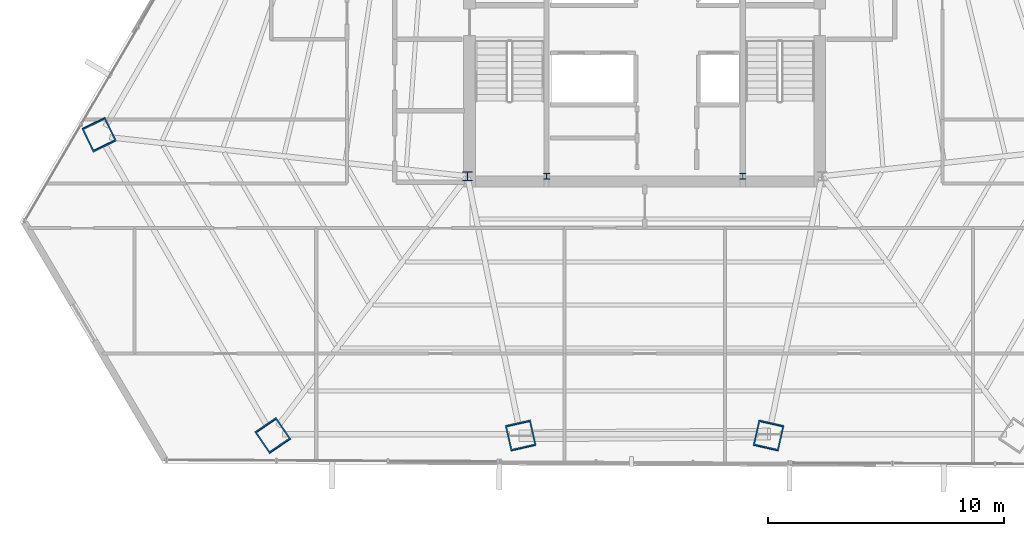
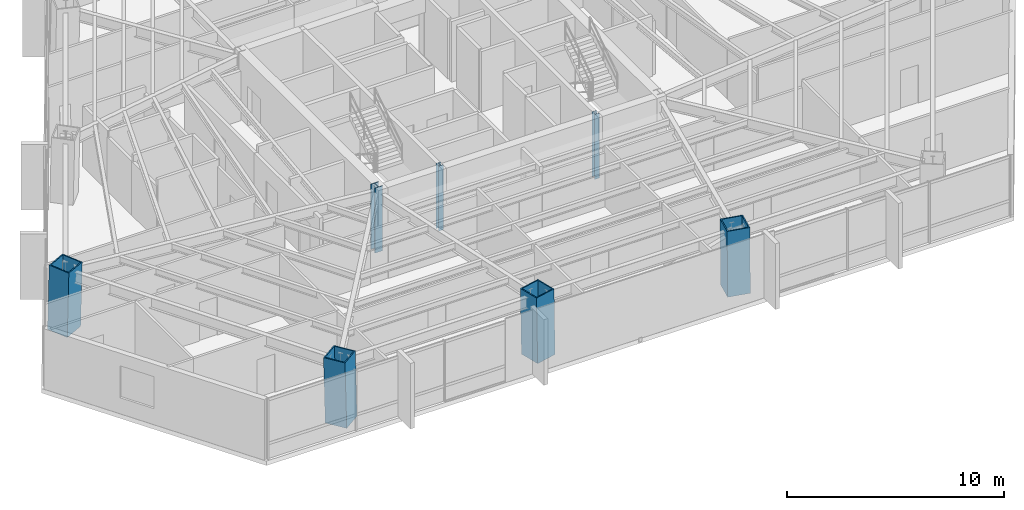
# One storey, part 1 of 35: 7 columns.
"""IFC4 building model written with IfcOpenShell, lengths in metres."""

from ifc_helpers import new_model, si_unit, direction, frame, origin, origin_2d, place, context, subcontext, project, spatial, hollow_rectangle, i_section, extrude, source, transform, mapped, material, material_profile, profile_set, type_object, type_shapes, element, save


model = new_model("IFC4")

# Units and contexts
model_context = context("Model", 3, precision=1e-05, world=origin(), true_north=direction((0.0, 1.0)))
body_context = subcontext(model_context, "Body", "Model", "MODEL_VIEW")
ifc_project = project(units=[si_unit("LENGTHUNIT", "METRE"), si_unit("AREAUNIT", "SQUARE_METRE"), si_unit("VOLUMEUNIT", "CUBIC_METRE"), si_unit("PLANEANGLEUNIT", "RADIAN"), si_unit("MASSUNIT", "GRAM", prefix="KILO")], contexts=[model_context])

# Site, building, storey
site_placement = place(None, origin())
site = spatial("IfcSite", under=ifc_project, at=site_placement, CompositionType="ELEMENT")
building_placement = place(site_placement, origin())
building = spatial("IfcBuilding", under=site, at=building_placement, Name="Caelisora Broadcast Tower", CompositionType="ELEMENT")
storey_placement = place(building_placement, frame((0.0, 0.0, 109.050048828125)))
storey = spatial("IfcBuildingStorey", under=building, at=storey_placement, Name="L28", CompositionType="ELEMENT", Elevation=109.050048828125)

# Columns
ifc_material_1 = material(Name="Steel Grade 350 (AS/NZS 3679.1)", Category="steel")
ifc_material_profile_1 = material_profile(ifc_material_1, i_section(OverallWidth=0.256103515625, OverallDepth=0.260009765625, WebThickness=0.010498046875, FlangeThickness=0.017333984375, at=origin_2d()), Name="Steel Grade 350 (AS/NZS 3679.1)")
ifc_profile_set_1 = profile_set([ifc_material_profile_1], Name="Steel Grade 350 (AS/NZS 3679.1)")
column_type_1 = type_object("IfcColumnType", Name="CC05", PredefinedType="COLUMN", material=ifc_profile_set_1)
shared_shape_1 = source(origin(), body_context, "Body", "SweptSolid", [
    extrude(i_section(OverallWidth=0.256103515625, OverallDepth=0.260009765625, WebThickness=0.010498046875, FlangeThickness=0.017333984375, at=origin_2d()), origin(), (0.0, 0.0, 1.0), 3.64990234375),
])
type_shapes(column_type_1, [shared_shape_1])
for number, where, z_axis, x_axis, name in (
    (1, (33.85009765625, 17.39990234375, 0.0), (0.0, 0.0, 1.0), (1.0, 0.0, 0.0), "L28 column CC05"),
    (2, (42.14990234375, 17.39990234375, 0.0), (0.0, 0.0, 1.0), (1.0, 0.0, 0.0), "L28 column CC05"),
):
    element("IfcColumn", number, at=place(storey_placement, frame(where, z_axis=z_axis, x_axis=x_axis)), inside=storey, type_object=column_type_1, Name=name, PredefinedType="COLUMN", context=body_context, shape_type="MappedRepresentation", body=[
        mapped(shared_shape_1, transform((0.0, 0.0, 0.0), scale=1.0)),
    ])
ifc_material_2 = material(Name="Steel Grade 350 (AS/NZS 3679.2)", Category="steel")
ifc_material_profile_2 = material_profile(ifc_material_2, i_section(OverallWidth=0.39990234375, OverallDepth=0.39990234375, WebThickness=0.02001953125, FlangeThickness=0.031982421875, at=origin_2d()), Name="Steel Grade 350 (AS/NZS 3679.2)")
ifc_profile_set_2 = profile_set([ifc_material_profile_2], Name="Steel Grade 350 (AS/NZS 3679.2)")
column_type_2 = type_object("IfcColumnType", Name="CC02", PredefinedType="COLUMN", material=ifc_profile_set_2)
shared_shape_2 = source(origin(), body_context, "Body", "SweptSolid", [
    extrude(i_section(OverallWidth=0.39990234375, OverallDepth=0.39990234375, WebThickness=0.02001953125, FlangeThickness=0.031982421875, at=origin_2d()), origin(), (0.0, 0.0, 1.0), 3.64990234375),
])
type_shapes(column_type_2, [shared_shape_2])
column_placement = place(storey_placement, frame((30.5, 17.39990234375, 0.0), z_axis=(0.0, 0.0, 1.0), x_axis=(1.0, 0.0, 0.0)))
element("IfcColumn", 3, at=column_placement, inside=storey, type_object=column_type_2, Name="L28 column CC02", PredefinedType="COLUMN", context=body_context, shape_type="MappedRepresentation", body=[
    mapped(shared_shape_2, transform((0.0, 0.0, 0.0), scale=1.0)),
])
ifc_material_3 = material(Name="Steel Grade 350 L15 (AS/NZS 3678)", Category="steel")
ifc_material_profile_3 = material_profile(ifc_material_3, hollow_rectangle(XDim=1.10009765625, YDim=1.10009765625, WallThickness=0.06005859375, at=origin_2d()), Name="Steel Grade 350 L15 (AS/NZS 3678)")
ifc_profile_set_3 = profile_set([ifc_material_profile_3], Name="Steel Grade 350 L15 (AS/NZS 3678)")
column_type_3 = type_object("IfcColumnType", Name="MC03", PredefinedType="COLUMN", material=ifc_profile_set_3)
shared_shape_3 = source(origin(), body_context, "Body", "SweptSolid", [
    extrude(hollow_rectangle(XDim=1.10009765625, YDim=1.10009765625, WallThickness=0.06005859375, at=origin_2d()), origin(), (0.0, 0.0, 1.0), 3.65087890625),
])
for number, where, z_axis, x_axis, name in (
    (4, (14.90478515625, 19.17138671875, 0.0), (0.010431780378, -0.021599135014, 0.999712286273), (0.900476348161, 0.434904985489, 0.0), "L28 column MC03"),
    (5, (22.270751953125, 6.413330078125, 0.0), (-0.013507825582, 0.019793645407, 0.999712833893), (-0.825991119814, -0.563683129062, 0.0), "L28 column MC03"),
):
    element("IfcColumn", number, at=place(storey_placement, frame(where, z_axis=z_axis, x_axis=x_axis)), inside=storey, type_object=column_type_3, Name=name, PredefinedType="COLUMN", context=body_context, shape_type="MappedRepresentation", body=[
        mapped(shared_shape_3, transform((0.0, 0.0, 0.0), scale=1.0)),
    ])
shared_shape_4 = source(origin(), body_context, "Body", "SweptSolid", [
    extrude(hollow_rectangle(XDim=1.10009765625, YDim=1.10009765625, WallThickness=0.06005859375, at=origin_2d()), origin(), (0.0, 0.0, 1.0), 3.650634765625),
])
type_shapes(column_type_3, [shared_shape_3, shared_shape_4])
for number, where, z_axis, x_axis, name in (
    (6, (32.7568359375, 6.413330078125, 0.0), (-0.004480682206, 0.019795252729, 0.999794014513), (-0.975326687046, -0.220766513622, 0.0), "L28 column MC03"),
    (7, (43.2431640625, 6.413330078125, 0.0), (0.004480682206, 0.019795252729, 0.999794014513), (-0.975326687046, 0.220766513622, 0.0), "L28 column MC03"),
):
    element("IfcColumn", number, at=place(storey_placement, frame(where, z_axis=z_axis, x_axis=x_axis)), inside=storey, type_object=column_type_3, Name=name, PredefinedType="COLUMN", context=body_context, shape_type="MappedRepresentation", body=[
        mapped(shared_shape_4, transform((0.0, 0.0, 0.0), scale=1.0)),
    ])

save(model, "model.ifc")
